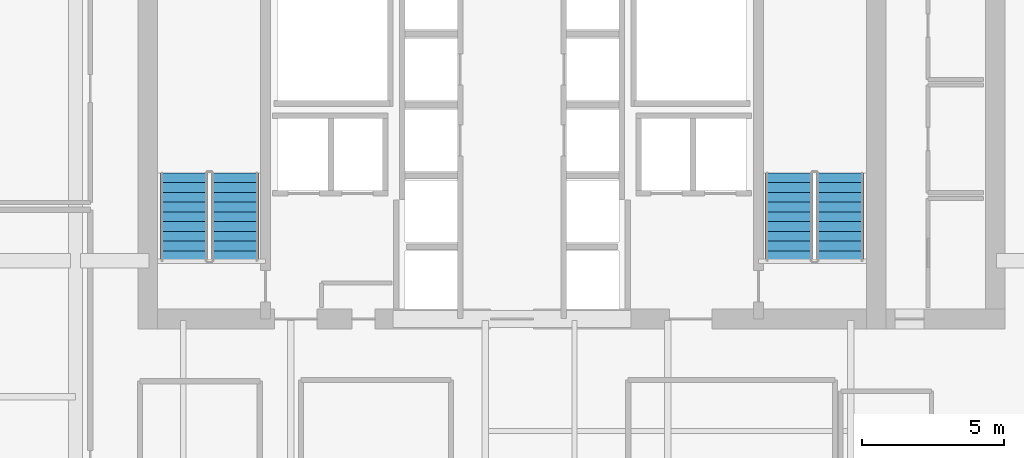
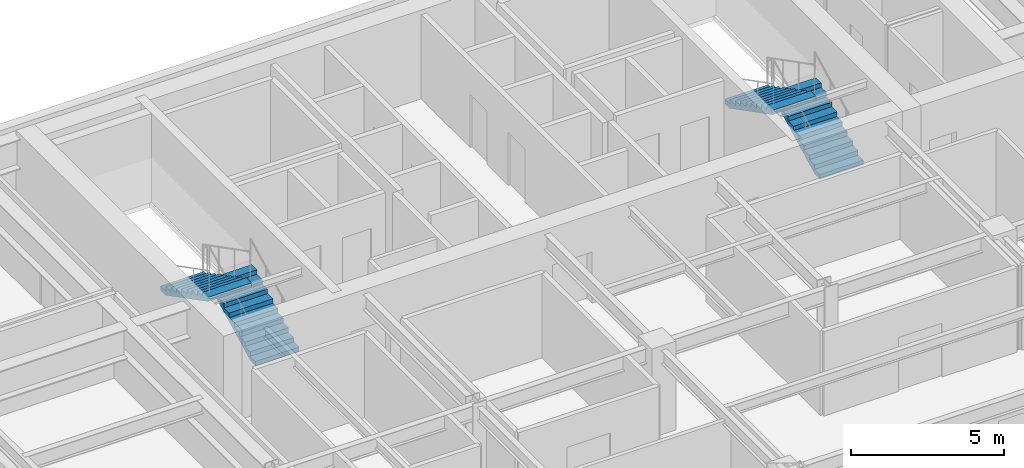
# One storey, part 20 of 25: 4 stair flights, 2 elements without a shape of their own.
"""IFC4 building model written with IfcOpenShell, lengths in metres."""

from ifc_helpers import new_model, si_unit, direction, frame, origin, place, context, subcontext, project, spatial, polyline, outline, extrude, material, type_object, element, aggregate, save


model = new_model("IFC4")

# Units and contexts
model_context = context("Model", 3, precision=1e-05, world=origin(), true_north=direction((0.0, 1.0)))
body_context = subcontext(model_context, "Body", "Model", "MODEL_VIEW")
ifc_project = project(units=[si_unit("LENGTHUNIT", "METRE"), si_unit("AREAUNIT", "SQUARE_METRE"), si_unit("VOLUMEUNIT", "CUBIC_METRE"), si_unit("PLANEANGLEUNIT", "RADIAN"), si_unit("MASSUNIT", "GRAM", prefix="KILO")], contexts=[model_context])

# Site, building, storey
site_placement = place(None, origin())
site = spatial("IfcSite", under=ifc_project, at=site_placement, CompositionType="ELEMENT")
building_placement = place(site_placement, origin())
building = spatial("IfcBuilding", under=site, at=building_placement, Name="Tolvann Quenvar Hotel", CompositionType="ELEMENT")
storey_placement = place(building_placement, frame((0.0, 0.0, 132.85009765625)))
storey = spatial("IfcBuildingStorey", under=building, at=storey_placement, Name="L34", CompositionType="ELEMENT", Elevation=132.85009765625)

# Stair, stair flights
ifc_material = material(Name="Concrete N40 (40 MPa)", Category="concrete")
stair_type = type_object("IfcStairType", Name="STAIR", PredefinedType="HALF_TURN_STAIR", material=ifc_material)
stair_1_placement = place(storey_placement, origin())
stair_1 = element("IfcStair", 1, at=stair_1_placement, inside=storey, type_object=stair_type, Name="L34 ST-C1", PredefinedType="HALF_TURN_STAIR")
stair_flight_type = type_object("IfcStairFlightType", Name="STAIR_FLIGHT", PredefinedType="STRAIGHT", material=ifc_material)
stair_flight_1_placement = place(storey_placement, frame((13.22509765625, 34.0, 0.0), z_axis=(0.0, 0.0, 1.0), x_axis=(0.0, 1.0, 0.0)))
stair_flight_1 = element("IfcStairFlight", 2, at=stair_flight_1_placement, type_object=stair_flight_type, Name="ST-C1 flight 1", NumberOfRisers=10, NumberOfTreads=9, PredefinedType="STRAIGHT", RiserHeight=0.1775, TreadLength=0.345, context=body_context, shape_type="SweptSolid", body=[
    extrude(outline(polyline([(0.0, 0.0), (0.0, 0.177490234375), (0.344970703125, 0.177490234375), (0.344970703125, 0.35498046875), (0.68994140625, 0.35498046875), (0.68994140625, 0.532470703125), (1.034912109375, 0.532470703125), (1.034912109375, 0.7099609375), (1.3798828125, 0.7099609375), (1.3798828125, 0.887451171875), (1.72509765625, 0.887451171875), (1.72509765625, 1.06494140625), (2.070068359375, 1.06494140625), (2.070068359375, 1.242431640625), (2.4150390625, 1.242431640625), (2.4150390625, 1.419921875), (2.760009765625, 1.419921875), (2.760009765625, 1.597412109375), (3.10498046875, 1.597412109375), (3.10498046875, 1.77490234375), (3.10498046875, 1.428955078125), (0.32763671875, 0.0), (0.0, 0.0)])), frame((0.0, 0.824951171875, 0.0), z_axis=(0.0, -1.0, 0.0), x_axis=(1.0, 0.0, 0.0)), (0.0, 0.0, 1.0), 1.64990234375),
])
stair_flight_2_placement = place(storey_placement, frame((11.425048828125, 37.10498046875, 1.77490234375), z_axis=(0.0, 0.0, 1.0), x_axis=(0.0, -1.0, 0.0)))
stair_flight_2 = element("IfcStairFlight", 3, at=stair_flight_2_placement, type_object=stair_flight_type, Name="ST-C1 flight 2", NumberOfRisers=10, NumberOfTreads=9, PredefinedType="STRAIGHT", RiserHeight=0.1775, TreadLength=0.345, context=body_context, shape_type="SweptSolid", body=[
    extrude(outline(polyline([(0.0, 0.0), (0.0, 0.177490234375), (0.344970703125, 0.177490234375), (0.344970703125, 0.35498046875), (0.68994140625, 0.35498046875), (0.68994140625, 0.532470703125), (1.034912109375, 0.532470703125), (1.034912109375, 0.7099609375), (1.3798828125, 0.7099609375), (1.3798828125, 0.887451171875), (1.72509765625, 0.887451171875), (1.72509765625, 1.06494140625), (2.070068359375, 1.06494140625), (2.070068359375, 1.242431640625), (2.4150390625, 1.242431640625), (2.4150390625, 1.419921875), (2.760009765625, 1.419921875), (2.760009765625, 1.597412109375), (3.10498046875, 1.597412109375), (3.10498046875, 1.77490234375), (3.10498046875, 1.428955078125), (0.32763671875, 0.0), (0.0, 0.0)])), frame((0.0, 0.824951171875, 0.0), z_axis=(0.0, -1.0, 0.0), x_axis=(1.0, 0.0, 0.0)), (0.0, 0.0, 1.0), 1.64990234375),
])
aggregate(stair_1, [stair_flight_1, stair_flight_2])

stair_2_placement = place(storey_placement, origin())
stair_2 = element("IfcStair", 4, at=stair_2_placement, inside=storey, type_object=stair_type, Name="L34 ST-C2", PredefinedType="HALF_TURN_STAIR")
stair_flight_3_placement = place(storey_placement, frame((34.574951171875, 34.0, 0.0), z_axis=(0.0, 0.0, 1.0), x_axis=(0.0, 1.0, 0.0)))
stair_flight_3 = element("IfcStairFlight", 5, at=stair_flight_3_placement, type_object=stair_flight_type, Name="ST-C2 flight 1", NumberOfRisers=10, NumberOfTreads=9, PredefinedType="STRAIGHT", RiserHeight=0.1775, TreadLength=0.345, context=body_context, shape_type="SweptSolid", body=[
    extrude(outline(polyline([(0.0, 0.0), (0.0, 0.177490234375), (0.344970703125, 0.177490234375), (0.344970703125, 0.35498046875), (0.68994140625, 0.35498046875), (0.68994140625, 0.532470703125), (1.034912109375, 0.532470703125), (1.034912109375, 0.7099609375), (1.3798828125, 0.7099609375), (1.3798828125, 0.887451171875), (1.72509765625, 0.887451171875), (1.72509765625, 1.06494140625), (2.070068359375, 1.06494140625), (2.070068359375, 1.242431640625), (2.4150390625, 1.242431640625), (2.4150390625, 1.419921875), (2.760009765625, 1.419921875), (2.760009765625, 1.597412109375), (3.10498046875, 1.597412109375), (3.10498046875, 1.77490234375), (3.10498046875, 1.428955078125), (0.32763671875, 0.0), (0.0, 0.0)])), frame((0.0, 0.824951171875, 0.0), z_axis=(0.0, -1.0, 0.0), x_axis=(1.0, 0.0, 0.0)), (0.0, 0.0, 1.0), 1.64990234375),
])
stair_flight_4_placement = place(storey_placement, frame((32.77490234375, 37.10498046875, 1.77490234375), z_axis=(0.0, 0.0, 1.0), x_axis=(0.0, -1.0, 0.0)))
stair_flight_4 = element("IfcStairFlight", 6, at=stair_flight_4_placement, type_object=stair_flight_type, Name="ST-C2 flight 2", NumberOfRisers=10, NumberOfTreads=9, PredefinedType="STRAIGHT", RiserHeight=0.1775, TreadLength=0.345, context=body_context, shape_type="SweptSolid", body=[
    extrude(outline(polyline([(0.0, 0.0), (0.0, 0.177490234375), (0.344970703125, 0.177490234375), (0.344970703125, 0.35498046875), (0.68994140625, 0.35498046875), (0.68994140625, 0.532470703125), (1.034912109375, 0.532470703125), (1.034912109375, 0.7099609375), (1.3798828125, 0.7099609375), (1.3798828125, 0.887451171875), (1.72509765625, 0.887451171875), (1.72509765625, 1.06494140625), (2.070068359375, 1.06494140625), (2.070068359375, 1.242431640625), (2.4150390625, 1.242431640625), (2.4150390625, 1.419921875), (2.760009765625, 1.419921875), (2.760009765625, 1.597412109375), (3.10498046875, 1.597412109375), (3.10498046875, 1.77490234375), (3.10498046875, 1.428955078125), (0.32763671875, 0.0), (0.0, 0.0)])), frame((0.0, 0.824951171875, 0.0), z_axis=(0.0, -1.0, 0.0), x_axis=(1.0, 0.0, 0.0)), (0.0, 0.0, 1.0), 1.64990234375),
])
aggregate(stair_2, [stair_flight_3, stair_flight_4])

save(model, "model.ifc")
